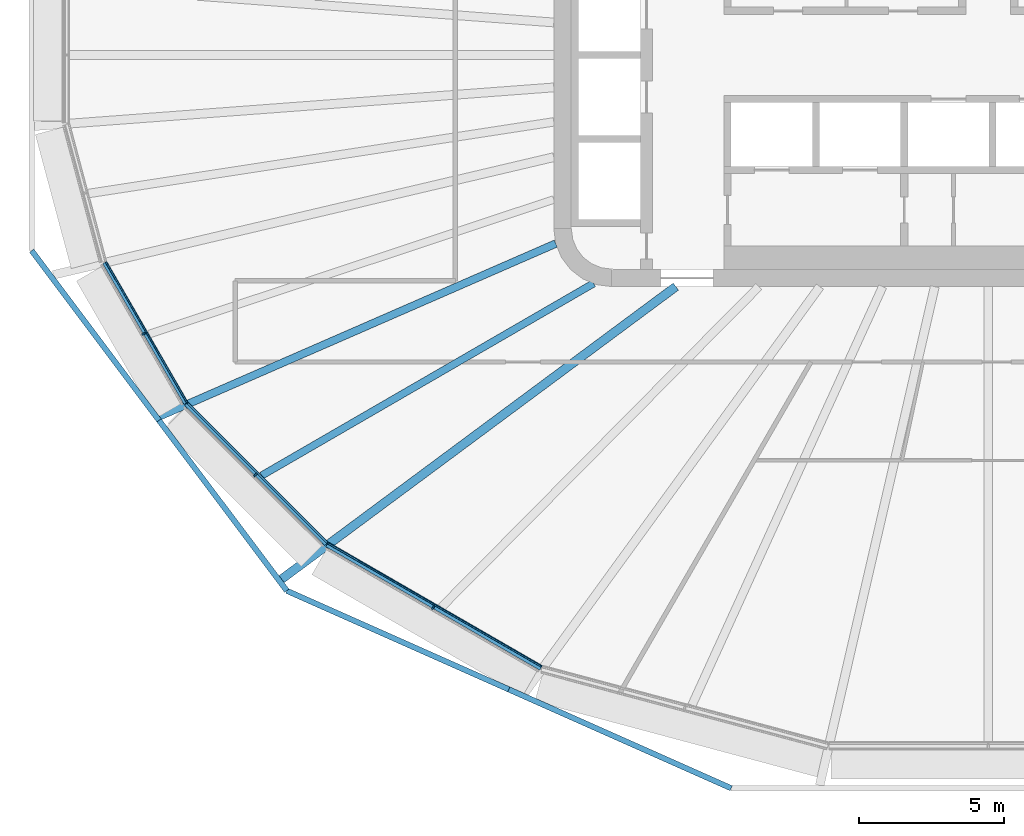
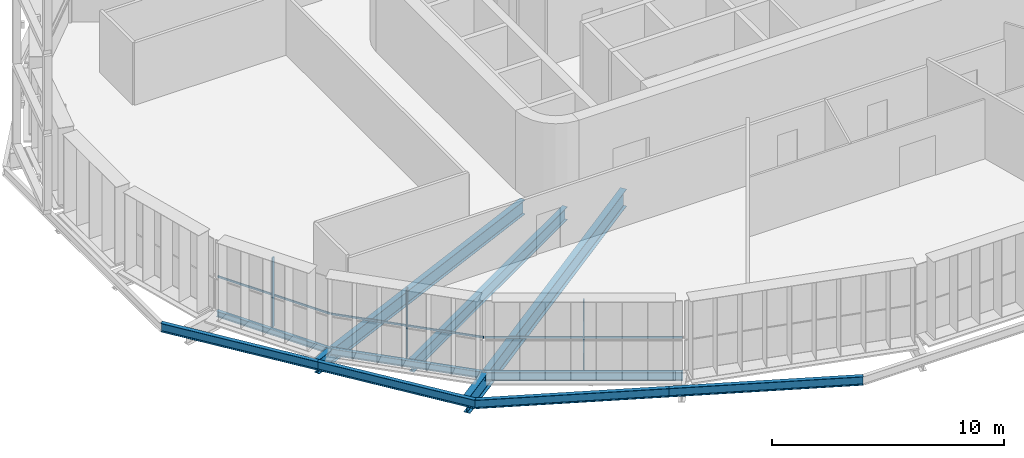
# One storey, part 1 of 26: 10 beams, 6 members, 3 elements without a shape of their own.
"""IFC4 building model written with IfcOpenShell, lengths in metres."""

from ifc_helpers import new_model, si_unit, direction, frame, origin, origin_2d, place, context, subcontext, project, spatial, rectangle, i_section, extrude, material, layer, layer_set, material_profile, profile_set, type_object, element, aggregate, save


model = new_model("IFC4")

# Units and contexts
model_context = context("Model", 3, precision=1e-05, world=origin(), true_north=direction((0.0, 1.0)))
body_context = subcontext(model_context, "Body", "Model", "MODEL_VIEW")
ifc_project = project(units=[si_unit("LENGTHUNIT", "METRE"), si_unit("AREAUNIT", "SQUARE_METRE"), si_unit("VOLUMEUNIT", "CUBIC_METRE"), si_unit("PLANEANGLEUNIT", "RADIAN"), si_unit("MASSUNIT", "GRAM", prefix="KILO")], contexts=[model_context])

# Site, building, storey
site_placement = place(None, origin())
site = spatial("IfcSite", under=ifc_project, at=site_placement, CompositionType="ELEMENT")
building_placement = place(site_placement, origin())
building = spatial("IfcBuilding", under=site, at=building_placement, Name="Sahrelin Media Tower", CompositionType="ELEMENT")
storey_placement = place(building_placement, frame((0.0, 0.0, 102.0)))
storey = spatial("IfcBuildingStorey", under=building, at=storey_placement, Name="L19", CompositionType="ELEMENT", Elevation=102.0)

# Beams
ifc_material_1 = material(Name="Steel S355", Category="steel")
ifc_material_profile_1 = material_profile(ifc_material_1, i_section(OverallWidth=0.1650390625, OverallDepth=0.303466796875, WebThickness=0.006103515625, FlangeThickness=0.01025390625, FilletRadius=0.0087890625, at=origin_2d()), Name="UB 305x165x40")
ifc_profile_set_1 = profile_set([ifc_material_profile_1], Name="Steel S355")
beam_type_1 = type_object("IfcBeamType", Name="Edge beam EB2", PredefinedType="BEAM", material=ifc_profile_set_1)
beam_1_placement = place(storey_placement, frame((-27.698486328125, -12.025634765625, -0.3017578125), z_axis=(-0.500017404508, 0.866015355054, 0.0), x_axis=(-0.866015355054, -0.500017404508, 0.0)))
element("IfcBeam", 1, at=beam_1_placement, inside=storey, type_object=beam_type_1, Name="Edge beam L19-11", PredefinedType="BEAM", context=body_context, shape_type="SweptSolid", body=[
    extrude(i_section(OverallWidth=0.1650390625, OverallDepth=0.303466796875, WebThickness=0.006103515625, FlangeThickness=0.01025390625, FilletRadius=0.0087890625, at=origin_2d()), origin(), (0.0, 0.0, 1.0), 5.612548828125),
])
ifc_material_profile_2 = material_profile(ifc_material_1, i_section(OverallWidth=0.17138671875, OverallDepth=0.35498046875, WebThickness=0.00732421875, FlangeThickness=0.011474609375, FilletRadius=0.01025390625, at=origin_2d()), Name="UB 356x171x51")
ifc_profile_set_2 = profile_set([ifc_material_profile_2], Name="Steel S355")
beam_type_2 = type_object("IfcBeamType", Name="Edge beam EB3", PredefinedType="BEAM", material=ifc_profile_set_2)
beam_2_placement = place(storey_placement, frame((-22.849609375, -16.8798828125, -0.327392578125), z_axis=(-0.707124646667, 0.707088915255, 0.0), x_axis=(-0.707088915255, -0.707124646667, 0.0)))
element("IfcBeam", 2, at=beam_2_placement, inside=storey, type_object=beam_type_2, Name="Edge beam L19-10", PredefinedType="BEAM", context=body_context, shape_type="SweptSolid", body=[
    extrude(i_section(OverallWidth=0.17138671875, OverallDepth=0.35498046875, WebThickness=0.00732421875, FlangeThickness=0.011474609375, FilletRadius=0.01025390625, at=origin_2d()), origin(), (0.0, 0.0, 1.0), 6.832763671875),
])
ifc_material_profile_3 = material_profile(ifc_material_1, i_section(OverallWidth=0.1904296875, OverallDepth=0.45703125, WebThickness=0.009033203125, FlangeThickness=0.014404296875, FilletRadius=0.01025390625, at=origin_2d()), Name="UB 457x191x74")
ifc_profile_set_3 = profile_set([ifc_material_profile_3], Name="Steel S355")
beam_type_3 = type_object("IfcBeamType", Name="Edge beam EB5", PredefinedType="BEAM", material=ifc_profile_set_3)
beam_3_placement = place(storey_placement, frame((-15.438232421875, -21.163330078125, -0.37841796875), z_axis=(-0.866017364183, 0.500013924739, 0.0), x_axis=(-0.500013924739, -0.866017364183, 0.0)))
element("IfcBeam", 3, at=beam_3_placement, inside=storey, type_object=beam_type_3, Name="Edge beam L19-09", PredefinedType="BEAM", context=body_context, shape_type="SweptSolid", body=[
    extrude(i_section(OverallWidth=0.1904296875, OverallDepth=0.45703125, WebThickness=0.009033203125, FlangeThickness=0.014404296875, FilletRadius=0.01025390625, at=origin_2d()), origin(), (0.0, 0.0, 1.0), 8.531494140625),
])

# Curtain wall, member
ifc_material_2 = material(Name="Champagne anodised aluminium 6063-T6", Category="aluminium")
ifc_layer = layer(ifc_material_2, 0.14990234375)
ifc_layer_set = layer_set([ifc_layer], Name="Tower ribbon curtain wall")
curtain_wall_type = type_object("IfcCurtainWallType", Name="Tower ribbon curtain wall", PredefinedType="NOTDEFINED", material=ifc_layer_set)
curtain_wall_1_placement = place(storey_placement, frame((-29.231689453125, -9.67041015625, 0.0), z_axis=(0.0, 0.0, 1.0), x_axis=(1.0, 0.0, 0.0)))
curtain_wall_1 = element("IfcCurtainWall", 4, at=curtain_wall_1_placement, inside=storey, type_object=curtain_wall_type, Name="L19:CW:L19-14", PredefinedType="NOTDEFINED")
ifc_material_profile_4 = material_profile(ifc_material_2, rectangle(XDim=0.06005859375, YDim=0.14990234375, at=origin_2d()), Name="Mullion 60x150")
ifc_profile_set_4 = profile_set([ifc_material_profile_4], Name="Champagne anodised aluminium 6063-T6")
member_type_1 = type_object("IfcMemberType", Name="Mullion 60x150 CW1", PredefinedType="MULLION", material=ifc_profile_set_4)
member_1_placement = place(storey_placement, frame((-29.1494140625, -9.622802734375, 0.0), z_axis=(0.0, 0.0, 1.0), x_axis=(0.500004534492, -0.866022785779, 0.0)))
member_1 = element("IfcMember", 5, at=member_1_placement, type_object=member_type_1, Name="L19:CWM:L19-14", PredefinedType="MULLION", context=body_context, shape_type="SweptSolid", body=[
    extrude(rectangle(XDim=0.06005859375, YDim=0.14990234375, at=origin_2d()), origin(), (0.0, 0.0, 1.0), 3.648681640625),
])

curtain_wall_2_placement = place(storey_placement, frame((-25.371337890625, -14.5703125, 0.0), z_axis=(0.0, 0.0, 1.0), x_axis=(1.0, 0.0, 0.0)))
curtain_wall_2 = element("IfcCurtainWall", 6, at=curtain_wall_2_placement, inside=storey, type_object=curtain_wall_type, Name="L19:CW:L19-15", PredefinedType="NOTDEFINED")
member_2_placement = place(storey_placement, frame((-25.30419921875, -14.503173828125, 0.0), z_axis=(0.0, 0.0, 1.0), x_axis=(0.707106781187, -0.707106781187, 0.0)))
member_2 = element("IfcMember", 7, at=member_2_placement, type_object=member_type_1, Name="L19:CWM:L19-15", PredefinedType="MULLION", context=body_context, shape_type="SweptSolid", body=[
    extrude(rectangle(XDim=0.06005859375, YDim=0.14990234375, at=origin_2d()), origin(), (0.0, 0.0, 1.0), 3.648681640625),
])

curtain_wall_3_placement = place(storey_placement, frame((-19.20751953125, -19.160400390625, 0.0), z_axis=(0.0, 0.0, 1.0), x_axis=(1.0, 0.0, 0.0)))
curtain_wall_3 = element("IfcCurtainWall", 8, at=curtain_wall_3_placement, inside=storey, type_object=curtain_wall_type, Name="L19:CW:L19-16", PredefinedType="NOTDEFINED")
member_3_placement = place(storey_placement, frame((-19.159912109375, -19.077880859375, 0.0), z_axis=(0.0, 0.0, 1.0), x_axis=(0.866024531118, -0.500001511499, 0.0)))
member_3 = element("IfcMember", 9, at=member_3_placement, type_object=member_type_1, Name="L19:CWM:L19-16", PredefinedType="MULLION", context=body_context, shape_type="SweptSolid", body=[
    extrude(rectangle(XDim=0.06005859375, YDim=0.14990234375, at=origin_2d()), origin(), (0.0, 0.0, 1.0), 3.648681640625),
])

# Beams
ifc_material_profile_5 = material_profile(ifc_material_1, i_section(OverallWidth=0.30322265625, OverallDepth=0.903076171875, WebThickness=0.01513671875, FlangeThickness=0.020263671875, FilletRadius=0.01904296875, at=origin_2d()), Name="UB 914x305x201")
ifc_profile_set_5 = profile_set([ifc_material_profile_5], Name="Steel S355")
beam_type_4 = type_object("IfcBeamType", Name="Radial primary beam PB11", PredefinedType="BEAM", material=ifc_profile_set_5)
beam_4_placement = place(storey_placement, frame((-10.78466796875, -8.0, -0.6015625), z_axis=(-0.803151376875, -0.595775012755, 0.0), x_axis=(0.595775012755, -0.803151376875, 0.0)))
element("IfcBeam", 10, at=beam_4_placement, inside=storey, type_object=beam_type_4, Name="Radial beam L19-16", PredefinedType="BEAM", context=body_context, shape_type="SweptSolid", body=[
    extrude(i_section(OverallWidth=0.30322265625, OverallDepth=0.903076171875, WebThickness=0.01513671875, FlangeThickness=0.020263671875, FilletRadius=0.01904296875, at=origin_2d()), origin(), (0.0, 0.0, 1.0), 16.952880859375),
])
ifc_material_profile_6 = material_profile(ifc_material_1, i_section(OverallWidth=0.26513671875, OverallDepth=0.75390625, WebThickness=0.0126953125, FlangeThickness=0.017578125, FilletRadius=0.0166015625, at=origin_2d()), Name="UB 762x267x147")
ifc_profile_set_6 = profile_set([ifc_material_profile_6], Name="Steel S355")
beam_type_5 = type_object("IfcBeamType", Name="Radial primary beam PB9", PredefinedType="BEAM", material=ifc_profile_set_6)
beam_5_placement = place(storey_placement, frame((-14.9326171875, -6.512939453125, -0.527099609375), z_axis=(-0.916601932833, -0.399801071442, 0.0), x_axis=(0.399801071442, -0.916601932833, 0.0)))
element("IfcBeam", 11, at=beam_5_placement, inside=storey, type_object=beam_type_5, Name="Radial beam L19-15", PredefinedType="BEAM", context=body_context, shape_type="SweptSolid", body=[
    extrude(i_section(OverallWidth=0.26513671875, OverallDepth=0.75390625, WebThickness=0.0126953125, FlangeThickness=0.017578125, FilletRadius=0.0166015625, at=origin_2d()), origin(), (0.0, 0.0, 1.0), 14.927978515625),
])
ifc_material_profile_7 = material_profile(ifc_material_1, i_section(OverallWidth=0.2529296875, OverallDepth=0.677978515625, WebThickness=0.01171875, FlangeThickness=0.01611328125, FilletRadius=0.01513671875, at=origin_2d()), Name="UB 686x254x125")
ifc_profile_set_7 = profile_set([ifc_material_profile_7], Name="Steel S355")
beam_type_6 = type_object("IfcBeamType", Name="Radial secondary beam SB8", PredefinedType="BEAM", material=ifc_profile_set_7)
beam_6_placement = place(storey_placement, frame((-13.625, -7.887451171875, -0.489013671875), z_axis=(-0.865447741605, -0.500999208134, 0.0), x_axis=(0.500999208134, -0.865447741605, 0.0)))
element("IfcBeam", 12, at=beam_6_placement, inside=storey, type_object=beam_type_6, Name="Secondary beam L19-15", PredefinedType="BEAM", context=body_context, shape_type="SweptSolid", body=[
    extrude(i_section(OverallWidth=0.2529296875, OverallDepth=0.677978515625, WebThickness=0.01171875, FlangeThickness=0.01611328125, FilletRadius=0.01513671875, at=origin_2d()), origin(), (0.0, 0.0, 1.0), 13.2431640625),
])
ifc_material_profile_8 = material_profile(ifc_material_1, i_section(OverallWidth=0.1904296875, OverallDepth=0.45703125, WebThickness=0.009033203125, FlangeThickness=0.014404296875, FilletRadius=0.01025390625, at=origin_2d()), Name="UB 457x191x74")
ifc_profile_set_8 = profile_set([ifc_material_profile_8], Name="Steel S355")
beam_type_7 = type_object("IfcBeamType", Name="Tie chord TC5", PredefinedType="BEAM", material=ifc_profile_set_8)
beam_7_placement = place(storey_placement, frame((-8.87451171875, -25.32080078125, -0.37841796875), z_axis=(-0.913854661009, 0.406041449304, 0.0), x_axis=(-0.406041449304, -0.913854661009, 0.0)))
element("IfcBeam", 13, at=beam_7_placement, inside=storey, type_object=beam_type_7, Name="Tie chord L19-07", PredefinedType="BEAM", context=body_context, shape_type="SweptSolid", body=[
    extrude(i_section(OverallWidth=0.1904296875, OverallDepth=0.45703125, WebThickness=0.009033203125, FlangeThickness=0.014404296875, FilletRadius=0.01025390625, at=origin_2d()), origin(), (0.0, 0.0, 1.0), 8.40576171875),
])
beam_8_placement = place(storey_placement, frame((-16.55615234375, -21.90771484375, -0.37841796875), z_axis=(-0.913791133972, 0.406184395901, 0.0), x_axis=(-0.406184395901, -0.913791133972, 0.0)))
element("IfcBeam", 14, at=beam_8_placement, inside=storey, type_object=beam_type_7, Name="Tie chord L19-08", PredefinedType="BEAM", context=body_context, shape_type="SweptSolid", body=[
    extrude(i_section(OverallWidth=0.1904296875, OverallDepth=0.45703125, WebThickness=0.009033203125, FlangeThickness=0.014404296875, FilletRadius=0.01025390625, at=origin_2d()), origin(), (0.0, 0.0, 1.0), 8.38427734375),
])
beam_9_placement = place(storey_placement, frame((-24.217529296875, -18.502197265625, -0.37841796875), z_axis=(-0.60010086925, 0.799924338126, 0.0), x_axis=(-0.799924338126, -0.60010086925, 0.0)))
element("IfcBeam", 15, at=beam_9_placement, inside=storey, type_object=beam_type_7, Name="Tie chord L19-09", PredefinedType="BEAM", context=body_context, shape_type="SweptSolid", body=[
    extrude(i_section(OverallWidth=0.1904296875, OverallDepth=0.45703125, WebThickness=0.009033203125, FlangeThickness=0.014404296875, FilletRadius=0.01025390625, at=origin_2d()), origin(), (0.0, 0.0, 1.0), 7.357666015625),
])
beam_10_placement = place(storey_placement, frame((-28.6328125, -12.61669921875, -0.37841796875), z_axis=(-0.600063983577, 0.799952008319, 0.0), x_axis=(-0.799952008319, -0.600063983577, 0.0)))
element("IfcBeam", 16, at=beam_10_placement, inside=storey, type_object=beam_type_7, Name="Tie chord L19-10", PredefinedType="BEAM", context=body_context, shape_type="SweptSolid", body=[
    extrude(i_section(OverallWidth=0.1904296875, OverallDepth=0.45703125, WebThickness=0.009033203125, FlangeThickness=0.014404296875, FilletRadius=0.01025390625, at=origin_2d()), origin(), (0.0, 0.0, 1.0), 7.325927734375),
])

# Member
ifc_material_profile_9 = material_profile(ifc_material_2, rectangle(XDim=0.050048828125, YDim=0.10009765625, at=origin_2d()), Name="Transom 50x100")
ifc_profile_set_9 = profile_set([ifc_material_profile_9], Name="Champagne anodised aluminium 6063-T6")
member_type_2 = type_object("IfcMemberType", Name="Transom 50x100 CW1", PredefinedType="USERDEFINED", material=ifc_profile_set_9)
member_4_placement = place(storey_placement, frame((-30.4580078125, -7.156005859375, 1.60009765625), z_axis=(0.499987512418, -0.866032613373, 0.0), x_axis=(0.866032613373, 0.499987512418, 0.0)))
member_4 = element("IfcMember", 17, at=member_4_placement, type_object=member_type_2, Name="L19:CWT:L19-14", ObjectType="TRANSOM", PredefinedType="USERDEFINED", context=body_context, shape_type="SweptSolid", body=[
    extrude(rectangle(XDim=0.050048828125, YDim=0.10009765625, at=origin_2d()), origin(), (0.0, 0.0, 1.0), 5.581298828125),
])

aggregate(curtain_wall_1, [member_1, member_4])

member_5_placement = place(storey_placement, frame((-27.63818359375, -12.02783203125, 1.60009765625), z_axis=(0.707106781187, -0.707106781187, 0.0), x_axis=(0.707106781187, 0.707106781187, 0.0)))
member_5 = element("IfcMember", 18, at=member_5_placement, type_object=member_type_2, Name="L19:CWT:L19-15", ObjectType="TRANSOM", PredefinedType="USERDEFINED", context=body_context, shape_type="SweptSolid", body=[
    extrude(rectangle(XDim=0.050048828125, YDim=0.10009765625, at=origin_2d()), origin(), (0.0, 0.0, 1.0), 6.801513671875),
])

aggregate(curtain_wall_2, [member_2, member_5])

member_6_placement = place(storey_placement, frame((-22.79052734375, -16.866455078125, 1.60009765625), z_axis=(0.866021522889, -0.500006721848, 0.0), x_axis=(0.500006721848, 0.866021522889, 0.0)))
member_6 = element("IfcMember", 19, at=member_6_placement, type_object=member_type_2, Name="L19:CWT:L19-16", ObjectType="TRANSOM", PredefinedType="USERDEFINED", context=body_context, shape_type="SweptSolid", body=[
    extrude(rectangle(XDim=0.050048828125, YDim=0.10009765625, at=origin_2d()), origin(), (0.0, 0.0, 1.0), 8.5),
])

aggregate(curtain_wall_3, [member_3, member_6])

save(model, "model.ifc")
